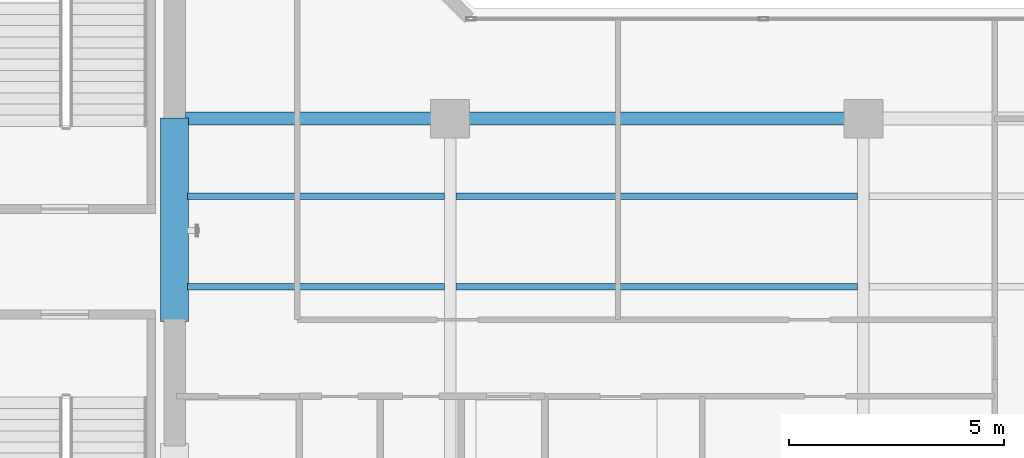
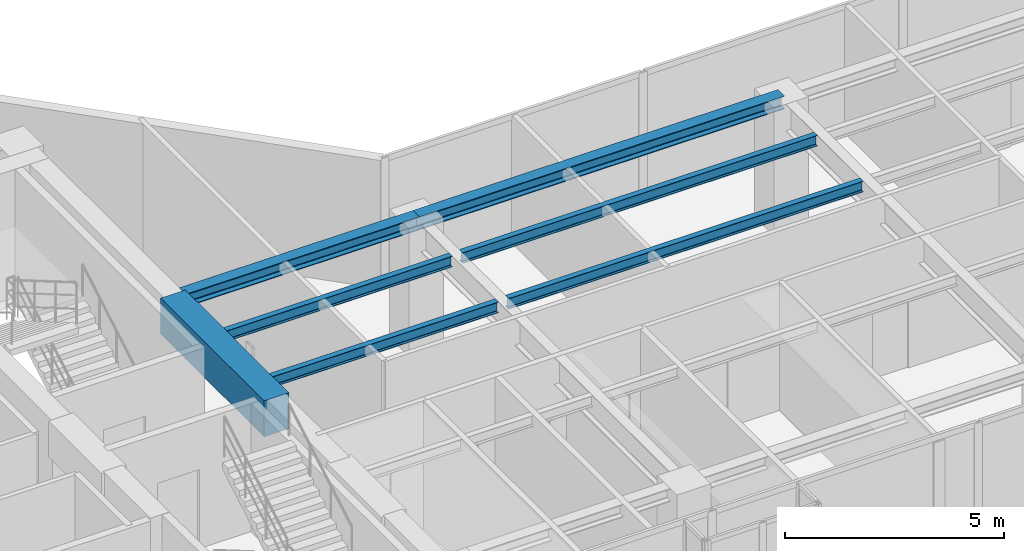
# One storey, part 6 of 22: 7 beams.
"""IFC4 building model written with IfcOpenShell, lengths in metres."""

from ifc_helpers import new_model, si_unit, direction, frame, origin, origin_2d, place, context, subcontext, project, spatial, rectangle, i_section, extrude, material, material_profile, profile_set, type_object, element, save


model = new_model("IFC4")

# Units and contexts
model_context = context("Model", 3, precision=1e-05, world=origin(), true_north=direction((0.0, 1.0)))
body_context = subcontext(model_context, "Body", "Model", "MODEL_VIEW")
ifc_project = project(units=[si_unit("LENGTHUNIT", "METRE"), si_unit("AREAUNIT", "SQUARE_METRE"), si_unit("VOLUMEUNIT", "CUBIC_METRE"), si_unit("PLANEANGLEUNIT", "RADIAN"), si_unit("MASSUNIT", "GRAM", prefix="KILO")], contexts=[model_context])

# Site, building, storey
site_placement = place(None, origin())
site = spatial("IfcSite", under=ifc_project, at=site_placement, CompositionType="ELEMENT")
building_placement = place(site_placement, origin())
building = spatial("IfcBuilding", under=site, at=building_placement, Name="Kolvaren Waterfront Exchange", CompositionType="ELEMENT")
storey_placement = place(building_placement, frame((0.0, 0.0, 278.0)))
storey = spatial("IfcBuildingStorey", under=building, at=storey_placement, Name="L71", CompositionType="ELEMENT", Elevation=278.0)

# Beams
ifc_material_1 = material(Name="Steel S355", Category="steel")
ifc_material_profile_1 = material_profile(ifc_material_1, i_section(OverallWidth=0.300048828125, OverallDepth=0.360107421875, WebThickness=0.012451171875, FlangeThickness=0.0224609375, FilletRadius=0.027099609375, at=origin_2d()), Name="HEB360")
ifc_profile_set_1 = profile_set([ifc_material_profile_1], Name="Steel S355")
beam_type_1 = type_object("IfcBeamType", Name="STR-BM-HEB360", PredefinedType="SPANDREL", material=ifc_profile_set_1)
beam_1_placement = place(storey_placement, frame((21.050048828125, 17.39990234375, 3.3798828125), z_axis=(1.0, 0.0, 0.0), x_axis=(0.0, 1.0, 0.0)))
element("IfcBeam", 1, at=beam_1_placement, inside=storey, type_object=beam_type_1, Name="L71 east-arm spandrel N1", PredefinedType="SPANDREL", context=body_context, shape_type="SweptSolid", body=[
    extrude(i_section(OverallWidth=0.300048828125, OverallDepth=0.360107421875, WebThickness=0.012451171875, FlangeThickness=0.0224609375, FilletRadius=0.027099609375, at=origin_2d()), origin(), (0.0, 0.0, 1.0), 6.14990234375),
])
beam_2_placement = place(storey_placement, frame((27.199951171875, 17.39990234375, 3.3798828125), z_axis=(1.0, 0.0, 0.0), x_axis=(0.0, 1.0, 0.0)))
element("IfcBeam", 2, at=beam_2_placement, inside=storey, type_object=beam_type_1, Name="L71 east-arm spandrel N2", PredefinedType="SPANDREL", context=body_context, shape_type="SweptSolid", body=[
    extrude(i_section(OverallWidth=0.300048828125, OverallDepth=0.360107421875, WebThickness=0.012451171875, FlangeThickness=0.0224609375, FilletRadius=0.027099609375, at=origin_2d()), origin(), (0.0, 0.0, 1.0), 9.60009765625),
])
ifc_material_profile_2 = material_profile(ifc_material_1, i_section(OverallWidth=0.14990234375, OverallDepth=0.300048828125, WebThickness=0.007080078125, FlangeThickness=0.0107421875, FilletRadius=0.014892578125, at=origin_2d()), Name="IPE300")
ifc_profile_set_2 = profile_set([ifc_material_profile_2], Name="Steel S355")
beam_type_2 = type_object("IfcBeamType", Name="STR-BM-IPE300", PredefinedType="JOIST", material=ifc_profile_set_2)
for number, where, z_axis, x_axis, name in (
    (3, (21.10009765625, 13.5, 3.409912109375), (1.0, 0.0, 0.0), (0.0, 1.0, 0.0), "L71 east-arm composite joist 1A"),
    (4, (21.10009765625, 15.60009765625, 3.409912109375), (1.0, 0.0, 0.0), (0.0, 1.0, 0.0), "L71 east-arm composite joist 1C"),
):
    element("IfcBeam", number, at=place(storey_placement, frame(where, z_axis=z_axis, x_axis=x_axis)), inside=storey, type_object=beam_type_2, Name=name, PredefinedType="JOIST", context=body_context, shape_type="SweptSolid", body=[
        extrude(i_section(OverallWidth=0.14990234375, OverallDepth=0.300048828125, WebThickness=0.007080078125, FlangeThickness=0.0107421875, FilletRadius=0.014892578125, at=origin_2d()), origin(), (0.0, 0.0, 1.0), 5.96435546875),
    ])
for number, where, z_axis, x_axis, name in (
    (5, (27.33544921875, 13.5, 3.409912109375), (1.0, 0.0, 0.0), (0.0, 1.0, 0.0), "L71 east-arm composite joist 2A"),
    (6, (27.33544921875, 15.60009765625, 3.409912109375), (1.0, 0.0, 0.0), (0.0, 1.0, 0.0), "L71 east-arm composite joist 2C"),
):
    element("IfcBeam", number, at=place(storey_placement, frame(where, z_axis=z_axis, x_axis=x_axis)), inside=storey, type_object=beam_type_2, Name=name, PredefinedType="JOIST", context=body_context, shape_type="SweptSolid", body=[
        extrude(i_section(OverallWidth=0.14990234375, OverallDepth=0.300048828125, WebThickness=0.007080078125, FlangeThickness=0.0107421875, FilletRadius=0.014892578125, at=origin_2d()), origin(), (0.0, 0.0, 1.0), 9.3291015625),
    ])
ifc_material_2 = material(Name="Concrete C60/75", Category="concrete")
ifc_material_profile_3 = material_profile(ifc_material_2, rectangle(XDim=0.64990234375, YDim=1.0, at=origin_2d()), Name="RC-CB-1000x650")
ifc_profile_set_3 = profile_set([ifc_material_profile_3], Name="Concrete C60/75")
beam_type_3 = type_object("IfcBeamType", Name="STR-CB-1000", PredefinedType="SPANDREL", material=ifc_profile_set_3)
beam_3_placement = place(storey_placement, frame((20.800048828125, 12.68994140625, 3.06005859375), z_axis=(0.0, 1.0, 0.0), x_axis=(-1.0, 0.0, 0.0)))
element("IfcBeam", 7, at=beam_3_placement, inside=storey, type_object=beam_type_3, Name="L71 core coupling beam 2", PredefinedType="SPANDREL", context=body_context, shape_type="SweptSolid", body=[
    extrude(rectangle(XDim=0.64990234375, YDim=1.0, at=origin_2d()), origin(), (0.0, 0.0, 1.0), 4.719970703125),
])

save(model, "model.ifc")
